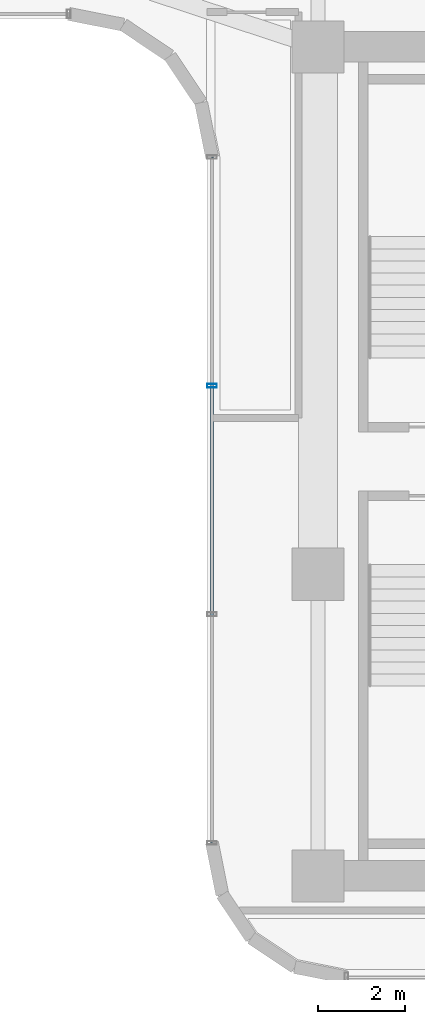
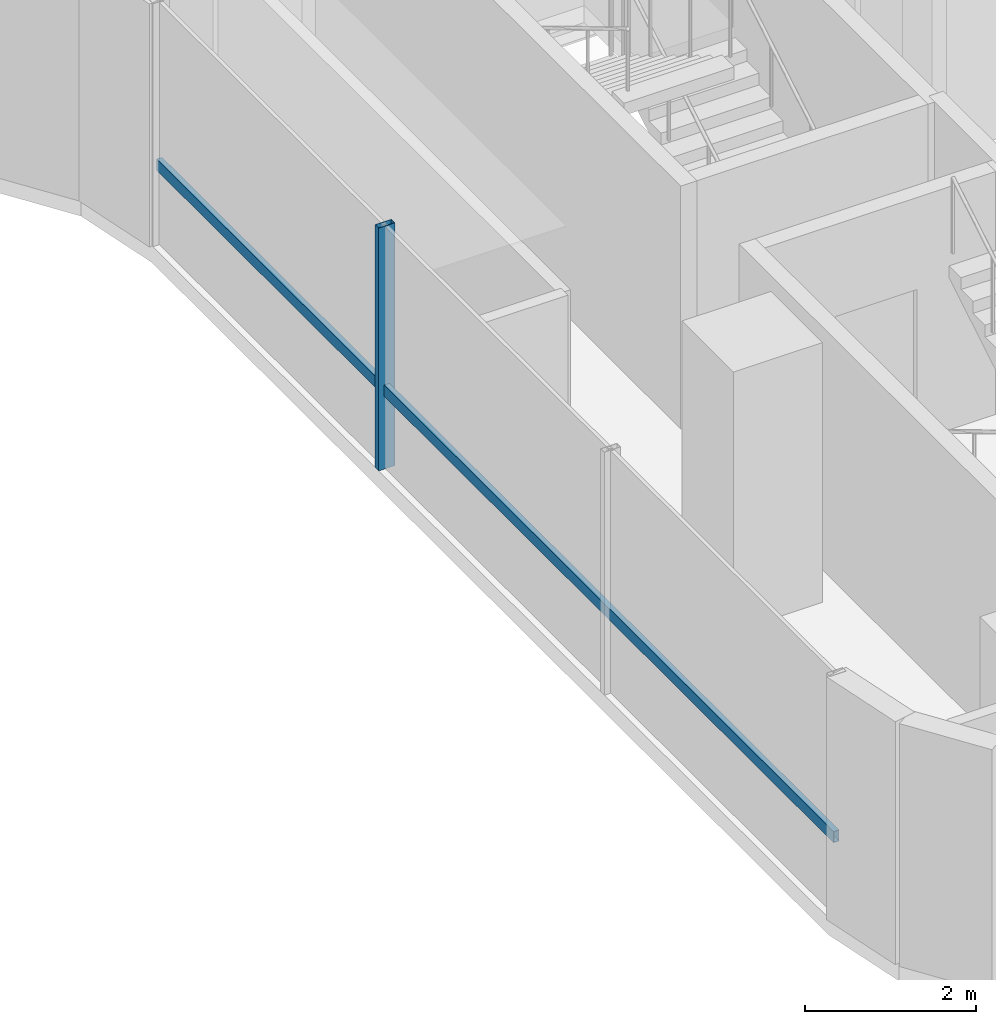
# One storey, part 14 of 35: 2 members, 1 element without a shape of its own.
"""IFC4 building model written with IfcOpenShell, lengths in metres."""

from ifc_helpers import new_model, si_unit, direction, frame, origin, origin_2d, place, context, subcontext, project, spatial, hollow_rectangle, extrude, source, transform, mapped, material, material_profile, profile_set, type_object, element, aggregate, save


model = new_model("IFC4")

# Units and contexts
model_context = context("Model", 3, precision=1e-05, world=origin(), true_north=direction((0.0, 1.0)))
body_context = subcontext(model_context, "Body", "Model", "MODEL_VIEW")
ifc_project = project(units=[si_unit("LENGTHUNIT", "METRE"), si_unit("AREAUNIT", "SQUARE_METRE"), si_unit("VOLUMEUNIT", "CUBIC_METRE"), si_unit("PLANEANGLEUNIT", "RADIAN"), si_unit("MASSUNIT", "GRAM", prefix="KILO")], contexts=[model_context])

# Site, building, storey
site_placement = place(None, origin())
site = spatial("IfcSite", under=ifc_project, at=site_placement, CompositionType="ELEMENT")
building_placement = place(site_placement, origin())
building = spatial("IfcBuilding", under=site, at=building_placement, Name="Valdorenza Pilgrim Sanctuary Tower", CompositionType="ELEMENT")
storey_placement = place(building_placement, frame((0.0, 0.0, 124.199951171875)))
storey = spatial("IfcBuildingStorey", under=building, at=storey_placement, Name="L31", CompositionType="ELEMENT", Elevation=124.199951171875)

# Curtain wall, members
ifc_material_1 = material(Name="Curtain-wall IGU glazing", Category="glass")
curtain_wall_type = type_object("IfcCurtainWallType", Name="CW-SYS-03", PredefinedType="NOTDEFINED", material=ifc_material_1)
curtain_wall_placement = place(storey_placement, origin())
curtain_wall = element("IfcCurtainWall", 1, at=curtain_wall_placement, inside=storey, type_object=curtain_wall_type, Name="L31 Curtain Wall CW-L31-1-31", PredefinedType="NOTDEFINED")
ifc_material_2 = material(Name="Anodised aluminium AW-6060", Category="aluminium")
ifc_material_profile_1 = material_profile(ifc_material_2, hollow_rectangle(XDim=0.0849609375, YDim=0.219970703125, WallThickness=0.0048828125, at=origin_2d()), Name="ALU-M 220x85x5")
ifc_profile_set_1 = profile_set([ifc_material_profile_1], Name="Anodised aluminium AW-6060")
member_type_1 = type_object("IfcMemberType", Name="CW-MUL-03", PredefinedType="MULLION", material=ifc_profile_set_1)
shared_shape_1 = source(origin(), body_context, "Body", "SweptSolid", [
    extrude(hollow_rectangle(XDim=0.0849609375, YDim=0.219970703125, WallThickness=0.0048828125, at=origin_2d()), origin(), (0.0, 0.0, 1.0), 3.4599609375),
])
member_1_placement = place(storey_placement, frame((13.409912109375, 1.744140625, 0.0), z_axis=(0.0, 0.0, 1.0), x_axis=(0.0, 1.0, 0.0)))
member_1 = element("IfcMember", 2, at=member_1_placement, type_object=member_type_1, Name="CW-L31-1-31 Mullion 3", PredefinedType="MULLION", context=body_context, shape_type="MappedRepresentation", body=[
    mapped(shared_shape_1, transform((0.0, 0.0, 0.0), x_axis=(1.0, 0.0, 0.0), y_axis=(0.0, 1.0, 0.0), z_axis=(0.0, 0.0, 1.0), scale=1.0)),
])
ifc_material_profile_2 = material_profile(ifc_material_2, hollow_rectangle(XDim=0.074951171875, YDim=0.159912109375, WallThickness=0.00390625, at=origin_2d()), Name="ALU-T 160x75x4")
ifc_profile_set_2 = profile_set([ifc_material_profile_2], Name="Anodised aluminium AW-6060")
member_type_2 = type_object("IfcMemberType", Name="CW-TRN-03", PredefinedType="USERDEFINED", material=ifc_profile_set_2)
shared_shape_2 = source(origin(), body_context, "Body", "SweptSolid", [
    extrude(hollow_rectangle(XDim=0.074951171875, YDim=0.159912109375, WallThickness=0.00390625, at=origin_2d()), origin(), (0.0, 0.0, 1.0), 15.800048828125),
])
member_2_placement = place(storey_placement, frame((13.409912109375, -8.789306640625, 1.1201171875), z_axis=(0.0, 1.0, 0.0), x_axis=(-1.0, 0.0, 0.0)))
member_2 = element("IfcMember", 3, at=member_2_placement, type_object=member_type_2, Name="CW-L31-1-31 Transom 1", ObjectType="TRANSOM", PredefinedType="USERDEFINED", context=body_context, shape_type="MappedRepresentation", body=[
    mapped(shared_shape_2, transform((0.0, 0.0, 0.0), x_axis=(1.0, 0.0, 0.0), y_axis=(0.0, 1.0, 0.0), z_axis=(0.0, 0.0, 1.0), scale=1.0)),
])
aggregate(curtain_wall, [member_1, member_2])

save(model, "model.ifc")
